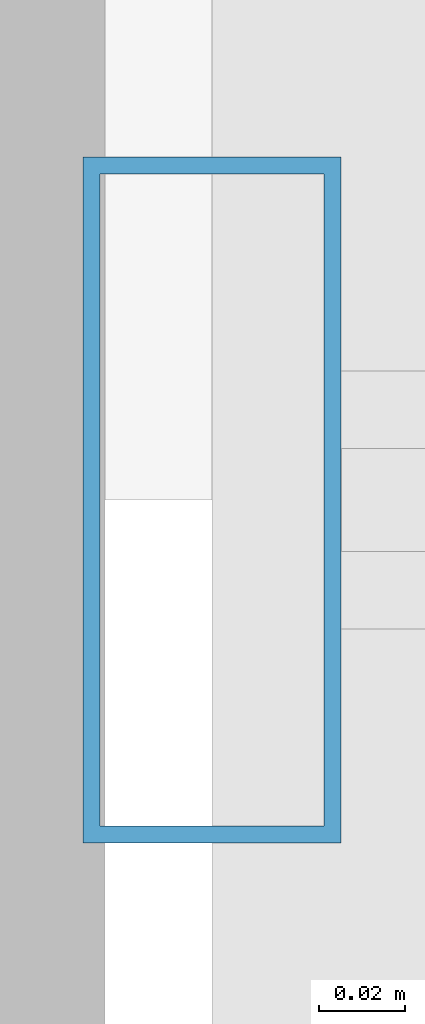
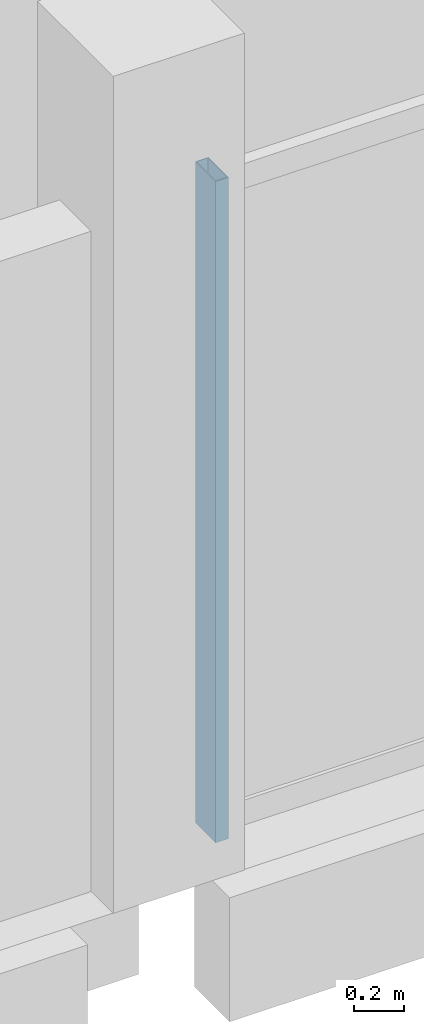
# One storey, part 13 of 108: 1 member, 1 element without a shape of its own.
"""IFC4 building model written with IfcOpenShell, lengths in metres."""

from ifc_helpers import new_model, si_unit, direction, frame, origin, origin_2d, place, context, subcontext, project, spatial, hollow_rectangle, extrude, material, layer, layer_set, material_profile, profile_set, type_object, element, aggregate, save


model = new_model("IFC4")

# Units and contexts
model_context = context("Model", 3, precision=1e-05, world=origin(), true_north=direction((0.0, 1.0)))
body_context = subcontext(model_context, "Body", "Model", "MODEL_VIEW")
ifc_project = project(units=[si_unit("LENGTHUNIT", "METRE"), si_unit("AREAUNIT", "SQUARE_METRE"), si_unit("VOLUMEUNIT", "CUBIC_METRE"), si_unit("PLANEANGLEUNIT", "RADIAN"), si_unit("MASSUNIT", "GRAM", prefix="KILO")], contexts=[model_context])

# Site, building, storey
site_placement = place(None, origin())
site = spatial("IfcSite", under=ifc_project, at=site_placement, CompositionType="ELEMENT")
building_placement = place(site_placement, origin())
building = spatial("IfcBuilding", under=site, at=building_placement, Name="Kangsadwip Square Police Headquarters", CompositionType="ELEMENT")
storey_placement = place(building_placement, frame((0.0, 0.0, 9.449951171875)))
storey = spatial("IfcBuildingStorey", under=building, at=storey_placement, Name="L02", CompositionType="ELEMENT", Elevation=9.449951171875)

# Curtain wall, member
ifc_material_1 = material(Name="Thermally broken anodised aluminium AW-6063-T6", Category="aluminium")
ifc_layer = layer(ifc_material_1, 0.159912109375)
ifc_layer_set = layer_set([ifc_layer], Name="Thermally broken anodised aluminium AW-6063-T6")
curtain_wall_type = type_object("IfcCurtainWallType", Name="CourtScreen6635x3200", PredefinedType="USERDEFINED", material=ifc_layer_set)
curtain_wall_placement = place(storey_placement, origin())
curtain_wall = element("IfcCurtainWall", 1, at=curtain_wall_placement, inside=storey, type_object=curtain_wall_type, Name="Curtain Wall CW-L02-0291-0936", ObjectType="GLAZED_SCREEN", PredefinedType="USERDEFINED")
ifc_material_2 = material(Name="Thermally broken anodised aluminium AW-6063-T6", Category="aluminium")
ifc_material_profile = material_profile(ifc_material_2, hollow_rectangle(XDim=0.06005859375, YDim=0.159912109375, WallThickness=0.00390625, at=origin_2d()), Name="CWM 160X60X4")
ifc_profile_set = profile_set([ifc_material_profile], Name="Thermally broken anodised aluminium AW-6063-T6")
member_type = type_object("IfcMemberType", Name="CwMullion135x60", PredefinedType="MULLION", material=ifc_profile_set)
member_placement = place(storey_placement, frame((29.125, 93.60009765625, 0.0), z_axis=(0.0, 0.0, 1.0), x_axis=(1.0, 0.0, 0.0)))
member = element("IfcMember", 2, at=member_placement, type_object=member_type, Name="CW-32 mullion 1", PredefinedType="MULLION", context=body_context, shape_type="SweptSolid", body=[
    extrude(hollow_rectangle(XDim=0.06005859375, YDim=0.159912109375, WallThickness=0.00390625, at=origin_2d()), origin(), (0.0, 0.0, 1.0), 3.199951171875),
])
aggregate(curtain_wall, [member])

save(model, "model.ifc")
